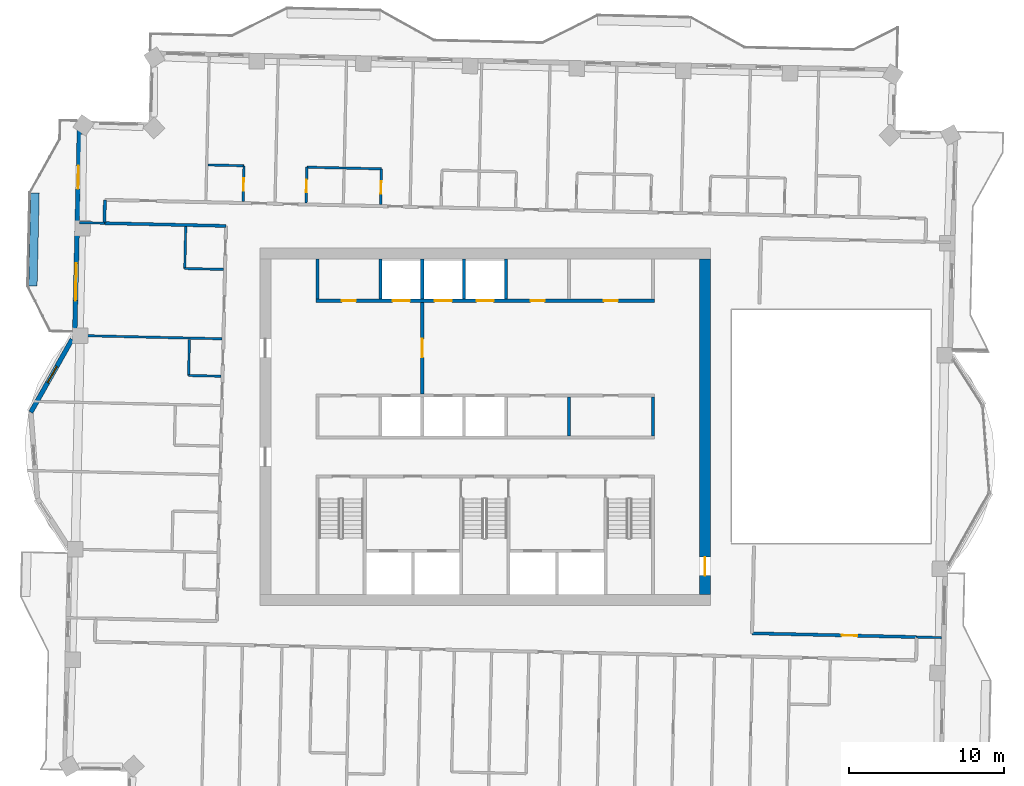
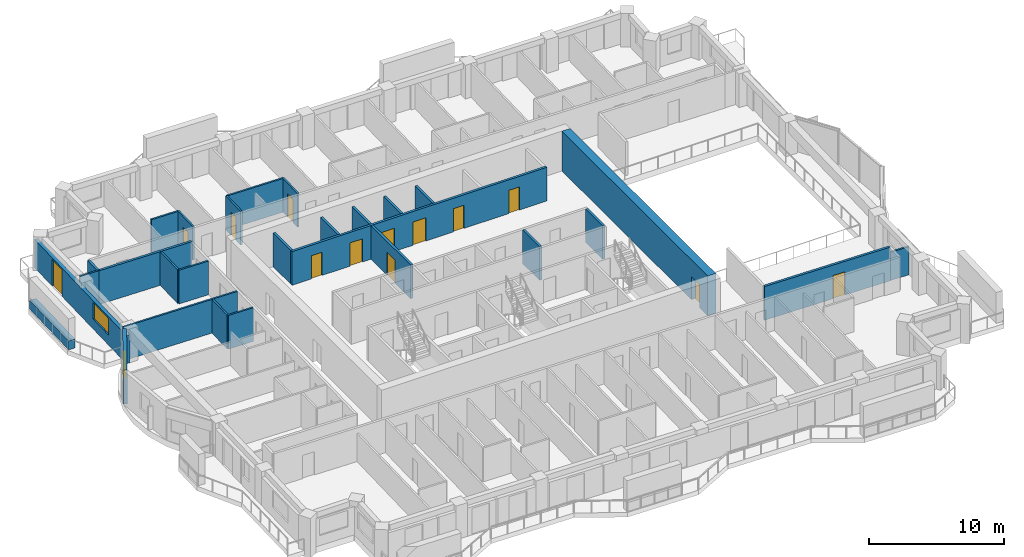
# One storey, part 10 of 17: 28 walls, 13 doors, 2 windows, 15 openings.
"""IFC4 building model written with IfcOpenShell, lengths in metres."""

import ifcopenshell
import ifcopenshell.guid

model = None  # the IFC model being written
_history = None  # IfcOwnerHistory: only IFC2X3 demands one
_inside = {}  # id of a spatial element -> (the spatial element, [elements in it])
_under = {}  # id of a project, library or spatial element -> (it, [spatial elements below it])
_declared = {}  # id of a project -> (the project, [libraries it declares])
_typed = {}  # id of a type object -> (the type object, [elements of that type])
_made_of = {}  # id of a material, layer set ... -> (it, [elements and type objects made of it])


def new_model(schema):
    """Start an empty IFC model of exactly this schema.

    Asked for "IFC4X3", IfcOpenShell would pick the latest addendum, in which some entities
    have other attributes; the version numbers below select the first issue.
    IFC2X3 requires an IfcOwnerHistory on every rooted entity: one is made here for all.
    """
    global model, _history
    if schema == "IFC4X3":
        model = ifcopenshell.file(schema_version=(4, 3, 0, 0))
    else:
        model = ifcopenshell.file(schema=schema)
    _inside.clear()
    _under.clear()
    _declared.clear()
    _typed.clear()
    _made_of.clear()
    _history = None
    if model.schema == "IFC2X3":
        org = make("IfcOrganization", Name="unknown")
        user = make(
            "IfcPersonAndOrganization",
            ThePerson=make("IfcPerson", FamilyName="unknown"),
            TheOrganization=org,
        )
        app = make(
            "IfcApplication",
            ApplicationDeveloper=org,
            Version="unknown",
            ApplicationFullName="unknown",
            ApplicationIdentifier="unknown",
        )
        _history = make(
            "IfcOwnerHistory",
            OwningUser=user,
            OwningApplication=app,
            ChangeAction="ADDED",
            CreationDate=0,
        )
    return model


def make(cls, **values):
    """One entity of the class cls with the attributes given. An attribute that is None is left unset."""
    return model.create_entity(
        cls, **{name: value for name, value in values.items() if value is not None}
    )


def rooted(cls, **values):
    """An entity with a GlobalId (a new one), such as an element, a storey or a relation."""
    return make(cls, GlobalId=ifcopenshell.guid.new(), OwnerHistory=_history, **values)


def si_unit(unit_type, name, prefix=None):
    """IfcSIUnit, for example si_unit("LENGTHUNIT", "METRE", prefix="MILLI")."""
    return make("IfcSIUnit", UnitType=unit_type, Prefix=prefix, Name=name)


def assignment(units):
    """IfcUnitAssignment: the units of a project."""
    return None if units is None else make("IfcUnitAssignment", Units=units)


def point(xyz):
    """IfcCartesianPoint."""
    return None if xyz is None else make("IfcCartesianPoint", Coordinates=xyz)


def direction(xyz):
    """IfcDirection."""
    return None if xyz is None else make("IfcDirection", DirectionRatios=xyz)


def frame(location, z_axis=None, x_axis=None):
    """IfcAxis2Placement3D, a coordinate frame: its origin and axes. An axis left out is left unset."""
    return make(
        "IfcAxis2Placement3D",
        Location=point(location),
        Axis=direction(z_axis),
        RefDirection=direction(x_axis),
    )


def frame_2d(location, x_axis=None):
    """IfcAxis2Placement2D, a coordinate frame in the plane: its origin and x axis."""
    return make(
        "IfcAxis2Placement2D", Location=point(location), RefDirection=direction(x_axis)
    )


def origin():
    """The frame at (0, 0, 0) with its axes left unset."""
    return frame((0.0, 0.0, 0.0))


def place(relative_to, where):
    """IfcLocalPlacement: puts the frame where relative to a parent placement (None: the world)."""
    return make(
        "IfcLocalPlacement", PlacementRelTo=relative_to, RelativePlacement=where
    )


def context(
    kind, dimensions, precision=None, world=None, true_north=None, identifier=None
):
    """IfcGeometricRepresentationContext, for example the 3D "Model" context."""
    return make(
        "IfcGeometricRepresentationContext",
        ContextIdentifier=identifier,
        ContextType=kind,
        CoordinateSpaceDimension=dimensions,
        Precision=precision,
        WorldCoordinateSystem=world,
        TrueNorth=true_north,
    )


def subcontext(parent, identifier, kind, view, scale=None):
    """IfcGeometricRepresentationSubContext, for example "Body" below "Model"."""
    return make(
        "IfcGeometricRepresentationSubContext",
        ContextIdentifier=identifier,
        ContextType=kind,
        ParentContext=parent,
        TargetScale=scale,
        TargetView=view,
    )


def project(units=None, contexts=None):
    """IfcProject with its units and contexts."""
    return rooted(
        "IfcProject",
        Name="project",
        RepresentationContexts=contexts,
        UnitsInContext=assignment(units),
    )


def spatial(cls, under=None, at=None, **own):
    """A site, building, storey or space (cls), placed at a placement, below another one or the project."""
    s = rooted(cls, ObjectPlacement=at, **own)
    if under is not None:
        _under.setdefault(under.id(), (under, []))[1].append(s)
    return s


def profile(cls, at=None, kind="AREA", **sizes):
    """A parametric profile (cls). Its sizes go by their IFC names, for example OverallWidth=200.0."""
    return make(cls, ProfileType=kind, Position=at, **sizes)


def rectangle(**sizes):
    """IfcRectangleProfileDef."""
    return profile("IfcRectangleProfileDef", **sizes)


def extrude(swept, where, along, depth):
    """IfcExtrudedAreaSolid: the profile swept, set in the frame where, extruded along a direction by depth."""
    return make(
        "IfcExtrudedAreaSolid",
        SweptArea=swept,
        Position=where,
        ExtrudedDirection=direction(along),
        Depth=depth,
    )


def shape(context_of_items, identifier, shape_type, items):
    """IfcShapeRepresentation: the items that make up one representation, for example the "Body"."""
    return make(
        "IfcShapeRepresentation",
        ContextOfItems=context_of_items,
        RepresentationIdentifier=identifier,
        RepresentationType=shape_type,
        Items=items,
    )


def material(Name=None, Category=None):
    """IfcMaterial."""
    return make("IfcMaterial", Name=Name, Category=Category)


def layer(
    of_material, thickness, ventilated=None, Name=None, Category=None, Priority=None
):
    """IfcMaterialLayer: one layer of a wall or slab, of a material (None: an air gap)."""
    return make(
        "IfcMaterialLayer",
        Material=of_material,
        LayerThickness=thickness,
        IsVentilated=ventilated,
        Name=Name,
        Category=Category,
        Priority=Priority,
    )


def layer_set(layers, Name=None):
    """IfcMaterialLayerSet."""
    return make("IfcMaterialLayerSet", MaterialLayers=layers, LayerSetName=Name)


def made_of(thing, what):
    """Note that an element or type object is made of a material, layer set ...; save() writes the relation."""
    if what is not None:
        _made_of.setdefault(what.id(), (what, []))[1].append(thing)
    return thing


def type_object(cls, material=None, **own):
    """A type object (cls), such as IfcWallType, which elements share."""
    return made_of(rooted(cls, **own), material)


def element(
    cls,
    number,
    at=None,
    inside=None,
    cuts=None,
    type_object=None,
    material=None,
    context=None,
    identifier="Body",
    shape_type=None,
    held_by="IfcProductDefinitionShape",
    body=None,
    shapes=None,
    **own,
):
    """One element of the class cls, such as IfcWall. Its Tag is "e" and its number.

    at: its placement. inside: the storey or other place that contains it. cuts: it is an
    opening in that element (IfcRelVoidsElement). A single representation is given by context,
    identifier, shape_type and body (its items); several are given by shapes. held_by: the class
    of the entity that holds the representations. save() writes the other relations.
    """
    e = rooted(cls, Tag="e%d" % number, ObjectPlacement=at, **own)
    if body is not None:
        shapes = [shape(context, identifier, shape_type, body)]
    if shapes is not None:
        e.Representation = make(held_by, Representations=shapes)
    if inside is not None:
        _inside.setdefault(inside.id(), (inside, []))[1].append(e)
    if cuts is not None:
        rooted(
            "IfcRelVoidsElement", RelatingBuildingElement=cuts, RelatedOpeningElement=e
        )
    if type_object is not None:
        _typed.setdefault(type_object.id(), (type_object, []))[1].append(e)
    return made_of(e, material)


def fill(opening, filler):
    """IfcRelFillsElement: the door or window that sits in an opening."""
    return rooted(
        "IfcRelFillsElement",
        RelatingOpeningElement=opening,
        RelatedBuildingElement=filler,
    )


def aggregate(whole, parts):
    """IfcRelAggregates: a whole, such as a stair, and the parts it consists of."""
    return rooted("IfcRelAggregates", RelatingObject=whole, RelatedObjects=parts)


def save(model, path):
    """Write the relations noted so far, then the file.

    IfcRelAggregates (storeys below a building ...), IfcRelContainedInSpatialStructure (elements
    in a storey), IfcRelDefinesByType, IfcRelAssociatesMaterial and IfcRelDeclares: one each for
    every whole, place, type object, material and project.
    """
    for whole, parts in _under.values():
        aggregate(whole, parts)
    for where, things in _inside.values():
        rooted(
            "IfcRelContainedInSpatialStructure",
            RelatedElements=things,
            RelatingStructure=where,
        )
    for kind, things in _typed.values():
        rooted("IfcRelDefinesByType", RelatedObjects=things, RelatingType=kind)
    for what, things in _made_of.values():
        rooted("IfcRelAssociatesMaterial", RelatedObjects=things, RelatingMaterial=what)
    for by, libraries in _declared.values():
        rooted("IfcRelDeclares", RelatingContext=by, RelatedDefinitions=libraries)
    model.write(path)


model = new_model("IFC4")

# Units and contexts
model_context = context("Model", 3, precision=1e-05, world=origin(), true_north=direction((0.0, 1.0)))
body_context = subcontext(model_context, "Body", "Model", "MODEL_VIEW")
ifc_project = project(units=[si_unit("LENGTHUNIT", "METRE"), si_unit("AREAUNIT", "SQUARE_METRE"), si_unit("VOLUMEUNIT", "CUBIC_METRE"), si_unit("PLANEANGLEUNIT", "RADIAN"), si_unit("MASSUNIT", "GRAM", prefix="KILO")], contexts=[model_context])

# Site, building, storey
site_placement = place(None, origin())
site = spatial("IfcSite", under=ifc_project, at=site_placement, CompositionType="ELEMENT")
building_placement = place(site_placement, origin())
building = spatial("IfcBuilding", under=site, at=building_placement, Name="Mangrove Gate Tower", CompositionType="ELEMENT")
storey_placement = place(building_placement, frame((0.0, 0.0, 268.10009765625)))
storey = spatial("IfcBuildingStorey", under=building, at=storey_placement, Name="L68", CompositionType="ELEMENT", Elevation=268.10009765625)

# Wall, opening, door
ifc_material_1 = material(Name="Concrete C32/40", Category="concrete")
ifc_layer_1 = layer(ifc_material_1, 0.199951171875)
ifc_layer_set_1 = layer_set([ifc_layer_1], Name="Core lobby wall 200 C32/40")
wall_type_1 = type_object("IfcWallType", Name="Core lobby wall 200 C32/40", PredefinedType="STANDARD", material=ifc_layer_set_1)
wall_1_placement = place(storey_placement, frame((-4.050048828125, 2.10009765625, 0.0), z_axis=(0.0, 0.0, 1.0), x_axis=(0.0, 1.0, 0.0)))
wall_1 = element("IfcWall", 1, at=wall_1_placement, inside=storey, type_object=wall_type_1, Name="WALL-L68-CORE-33", PredefinedType="STANDARD", context=body_context, shape_type="SweptSolid", body=[
    extrude(rectangle(XDim=5.89990234375, YDim=0.199951171875, at=frame_2d((2.949951171875, 0.0))), origin(), (0.0, 0.0, 1.0), 3.0498046875),
])
opening_1_placement = place(wall_1_placement, frame((2.35009765625, 0.0, 0.0)))
opening_1 = element("IfcOpeningElement", 2, at=opening_1_placement, cuts=wall_1, Name="Opening FL12", PredefinedType="OPENING", context=body_context, shape_type="SweptSolid", body=[
    extrude(rectangle(XDim=1.199951171875, YDim=2.10009765625, at=frame_2d((0.60009765625, 1.050048828125))), frame((0.0, 0.10986328125, 0.0), z_axis=(0.0, -1.0, 0.0), x_axis=(1.0, 0.0, 0.0)), (0.0, 0.0, 1.0), 0.219970703125),
])
ifc_material_2 = material(Name="Fire-rated steel door set", Category="steel")
door_type_1 = type_object("IfcDoorType", Name="Lobby door FD60 1200x2100", OperationType="SINGLE_SWING_LEFT", PredefinedType="DOOR", material=ifc_material_2)
door_1_placement = place(opening_1_placement, origin())
door_1 = element("IfcDoor", 3, at=door_1_placement, inside=storey, type_object=door_type_1, Name="Lobby door lift lobby partition", OperationType="SINGLE_SWING_LEFT", OverallHeight=2.10009765625, OverallWidth=1.199951171875, PredefinedType="DOOR", context=body_context, shape_type="SweptSolid", body=[
    extrude(rectangle(XDim=1.199951171875, YDim=2.10009765625, at=frame_2d((0.60009765625, 1.050048828125))), frame((0.0, 0.02490234375, 0.0), z_axis=(0.0, -1.0, 0.0), x_axis=(1.0, 0.0, 0.0)), (0.0, 0.0, 1.0), 0.050048828125),
])
fill(opening_1, door_1)

# Walls
ifc_material_3 = material(Name="Concrete C32/40", Category="concrete")
ifc_layer_2 = layer(ifc_material_3, 0.199951171875)
ifc_layer_set_2 = layer_set([ifc_layer_2], Name="Core room wall 200 C32/40")
wall_type_2 = type_object("IfcWallType", Name="Core room wall 200 C32/40", PredefinedType="STANDARD", material=ifc_layer_set_2)
for number, where, z_axis, x_axis, name in (
    (4, (5.39990234375, -0.60009765625, 0.0), (0.0, 0.0, 1.0), (0.0, 1.0, 0.0), "WALL-L68-CORE-24"),
    (5, (10.800048828125, -0.60009765625, 0.0), (0.0, 0.0, 1.0), (0.0, 1.0, 0.0), "WALL-L68-CORE-25"),
):
    element("IfcWall", number, at=place(storey_placement, frame(where, z_axis=z_axis, x_axis=x_axis)), inside=storey, type_object=wall_type_2, Name=name, PredefinedType="STANDARD", context=body_context, shape_type="SweptSolid", body=[
        extrude(rectangle(XDim=2.5, YDim=0.199951171875, at=frame_2d((1.25, 0.0))), origin(), (0.0, 0.0, 1.0), 3.0498046875),
    ])
wall_2_placement = place(storey_placement, frame((-10.800048828125, 8.199951171875, 0.0), z_axis=(0.0, 0.0, 1.0), x_axis=(0.0, 1.0, 0.0)))
element("IfcWall", 6, at=wall_2_placement, inside=storey, type_object=wall_type_2, Name="WALL-L68-CORE-26", PredefinedType="STANDARD", context=body_context, shape_type="SweptSolid", body=[
    extrude(rectangle(XDim=2.60009765625, YDim=0.199951171875, at=frame_2d((1.300048828125, 0.0))), origin(), (0.0, 0.0, 1.0), 3.0498046875),
])

# Wall, openings, doors
ifc_material_4 = material(Name="Concrete C50/60", Category="concrete")
ifc_layer_3 = layer(ifc_material_4, 0.199951171875)
ifc_layer_set_3 = layer_set([ifc_layer_3], Name="Core shaft wall 200 C50/60")
wall_type_3 = type_object("IfcWallType", Name="Core shaft wall 200 C50/60", PredefinedType="SHEAR", material=ifc_layer_set_3)
wall_3_placement = place(storey_placement, frame((-10.89990234375, 8.10009765625, 0.0), z_axis=(0.0, 0.0, 1.0), x_axis=(1.0, 0.0, 0.0)))
wall_3 = element("IfcWall", 7, at=wall_3_placement, inside=storey, type_object=wall_type_3, Name="WALL-L68-CORE-8", PredefinedType="SHEAR", context=body_context, shape_type="SweptSolid", body=[
    extrude(rectangle(XDim=21.7998046875, YDim=0.199951171875, at=frame_2d((10.89990234375, 0.0))), origin(), (0.0, 0.0, 1.0), 3.0498046875),
])
opening_2_placement = place(wall_3_placement, frame((4.949951171875, 0.0, 0.0)))
opening_2 = element("IfcOpeningElement", 8, at=opening_2_placement, cuts=wall_3, Name="Opening LD", PredefinedType="OPENING", context=body_context, shape_type="SweptSolid", body=[
    extrude(rectangle(XDim=1.10009765625, YDim=2.10009765625, at=frame_2d((0.550048828125, 1.050048828125))), frame((0.0, 0.10986328125, 0.0), z_axis=(0.0, -1.0, 0.0), x_axis=(1.0, 0.0, 0.0)), (0.0, 0.0, 1.0), 0.219970703125),
])
opening_3_placement = place(wall_3_placement, frame((7.64990234375, 0.0, 0.0)))
opening_3 = element("IfcOpeningElement", 9, at=opening_3_placement, cuts=wall_3, Name="Opening LD", PredefinedType="OPENING", context=body_context, shape_type="SweptSolid", body=[
    extrude(rectangle(XDim=1.10009765625, YDim=2.10009765625, at=frame_2d((0.550048828125, 1.050048828125))), frame((0.0, 0.10986328125, 0.0), z_axis=(0.0, -1.0, 0.0), x_axis=(1.0, 0.0, 0.0)), (0.0, 0.0, 1.0), 0.219970703125),
])
opening_4_placement = place(wall_3_placement, frame((10.35009765625, 0.0, 0.0)))
opening_4 = element("IfcOpeningElement", 10, at=opening_4_placement, cuts=wall_3, Name="Opening LD", PredefinedType="OPENING", context=body_context, shape_type="SweptSolid", body=[
    extrude(rectangle(XDim=1.10009765625, YDim=2.10009765625, at=frame_2d((0.550048828125, 1.050048828125))), frame((0.0, 0.10986328125, 0.0), z_axis=(0.0, -1.0, 0.0), x_axis=(1.0, 0.0, 0.0)), (0.0, 0.0, 1.0), 0.219970703125),
])
opening_5_placement = place(wall_3_placement, frame((1.675048828125, 0.0, 0.0)))
opening_5 = element("IfcOpeningElement", 11, at=opening_5_placement, cuts=wall_3, Name="Opening RD", PredefinedType="OPENING", context=body_context, shape_type="SweptSolid", body=[
    extrude(rectangle(XDim=0.89990234375, YDim=2.10009765625, at=frame_2d((0.449951171875, 1.050048828125))), frame((0.0, 0.10986328125, 0.0), z_axis=(0.0, -1.0, 0.0), x_axis=(1.0, 0.0, 0.0)), (0.0, 0.0, 1.0), 0.219970703125),
])
opening_6_placement = place(wall_3_placement, frame((13.824951171875, 0.0, 0.0)))
opening_6 = element("IfcOpeningElement", 12, at=opening_6_placement, cuts=wall_3, Name="Opening RD", PredefinedType="OPENING", context=body_context, shape_type="SweptSolid", body=[
    extrude(rectangle(XDim=0.89990234375, YDim=2.10009765625, at=frame_2d((0.449951171875, 1.050048828125))), frame((0.0, 0.10986328125, 0.0), z_axis=(0.0, -1.0, 0.0), x_axis=(1.0, 0.0, 0.0)), (0.0, 0.0, 1.0), 0.219970703125),
])
opening_7_placement = place(wall_3_placement, frame((18.550048828125, 0.0, 0.0)))
opening_7 = element("IfcOpeningElement", 13, at=opening_7_placement, cuts=wall_3, Name="Opening KD", PredefinedType="OPENING", context=body_context, shape_type="SweptSolid", body=[
    extrude(rectangle(XDim=0.89990234375, YDim=2.10009765625, at=frame_2d((0.449951171875, 1.050048828125))), frame((0.0, 0.10986328125, 0.0), z_axis=(0.0, -1.0, 0.0), x_axis=(1.0, 0.0, 0.0)), (0.0, 0.0, 1.0), 0.219970703125),
])
ifc_material_5 = material(Name="Fire-rated steel door set", Category="steel")
door_type_2 = type_object("IfcDoorType", Name="Core room door FD30S 900x2100", OperationType="SINGLE_SWING_RIGHT", PredefinedType="DOOR", material=ifc_material_5)
door_2_placement = place(opening_7_placement, origin())
door_2 = element("IfcDoor", 14, at=door_2_placement, inside=storey, type_object=door_type_2, Name="Core room door Core WC", OperationType="SINGLE_SWING_RIGHT", OverallHeight=2.10009765625, OverallWidth=0.89990234375, PredefinedType="DOOR", context=body_context, shape_type="SweptSolid", body=[
    extrude(rectangle(XDim=0.89990234375, YDim=2.10009765625, at=frame_2d((0.449951171875, 1.050048828125))), frame((0.0, 0.02490234375, 0.0), z_axis=(0.0, -1.0, 0.0), x_axis=(1.0, 0.0, 0.0)), (0.0, 0.0, 1.0), 0.050048828125),
])
fill(opening_7, door_2)
ifc_material_6 = material(Name="Stainless steel 316", Category="steel")
door_type_3 = type_object("IfcDoorType", Name="Lift landing door 1100x2100", OperationType="SLIDING_TO_LEFT", PredefinedType="DOOR", material=ifc_material_6)
door_3_placement = place(opening_2_placement, origin())
door_3 = element("IfcDoor", 15, at=door_3_placement, inside=storey, type_object=door_type_3, Name="Landing door LD H04", OperationType="SLIDING_TO_LEFT", OverallHeight=2.10009765625, OverallWidth=1.10009765625, PredefinedType="DOOR", context=body_context, shape_type="SweptSolid", body=[
    extrude(rectangle(XDim=1.10009765625, YDim=2.10009765625, at=frame_2d((0.550048828125, 1.050048828125))), frame((0.0, 0.02490234375, 0.0), z_axis=(0.0, -1.0, 0.0), x_axis=(1.0, 0.0, 0.0)), (0.0, 0.0, 1.0), 0.050048828125),
])
fill(opening_2, door_3)
door_4_placement = place(opening_3_placement, origin())
door_4 = element("IfcDoor", 16, at=door_4_placement, inside=storey, type_object=door_type_3, Name="Landing door LD H05", OperationType="SLIDING_TO_LEFT", OverallHeight=2.10009765625, OverallWidth=1.10009765625, PredefinedType="DOOR", context=body_context, shape_type="SweptSolid", body=[
    extrude(rectangle(XDim=1.10009765625, YDim=2.10009765625, at=frame_2d((0.550048828125, 1.050048828125))), frame((0.0, 0.02490234375, 0.0), z_axis=(0.0, -1.0, 0.0), x_axis=(1.0, 0.0, 0.0)), (0.0, 0.0, 1.0), 0.050048828125),
])
fill(opening_3, door_4)
door_5_placement = place(opening_4_placement, origin())
door_5 = element("IfcDoor", 17, at=door_5_placement, inside=storey, type_object=door_type_3, Name="Landing door LD H06", OperationType="SLIDING_TO_LEFT", OverallHeight=2.10009765625, OverallWidth=1.10009765625, PredefinedType="DOOR", context=body_context, shape_type="SweptSolid", body=[
    extrude(rectangle(XDim=1.10009765625, YDim=2.10009765625, at=frame_2d((0.550048828125, 1.050048828125))), frame((0.0, 0.02490234375, 0.0), z_axis=(0.0, -1.0, 0.0), x_axis=(1.0, 0.0, 0.0)), (0.0, 0.0, 1.0), 0.050048828125),
])
fill(opening_4, door_5)
ifc_material_7 = material(Name="Fire-rated steel door set", Category="steel")
door_type_4 = type_object("IfcDoorType", Name="Riser door FD30S 900x2100", OperationType="SINGLE_SWING_LEFT", PredefinedType="DOOR", material=ifc_material_7)
door_6_placement = place(opening_5_placement, origin())
door_6 = element("IfcDoor", 18, at=door_6_placement, inside=storey, type_object=door_type_4, Name="Riser door Switch room", OperationType="SINGLE_SWING_LEFT", OverallHeight=2.10009765625, OverallWidth=0.89990234375, PredefinedType="DOOR", context=body_context, shape_type="SweptSolid", body=[
    extrude(rectangle(XDim=0.89990234375, YDim=2.10009765625, at=frame_2d((0.449951171875, 1.050048828125))), frame((0.0, 0.02490234375, 0.0), z_axis=(0.0, -1.0, 0.0), x_axis=(1.0, 0.0, 0.0)), (0.0, 0.0, 1.0), 0.050048828125),
])
fill(opening_5, door_6)
door_7_placement = place(opening_6_placement, origin())
door_7 = element("IfcDoor", 19, at=door_7_placement, inside=storey, type_object=door_type_4, Name="Riser door Comms room", OperationType="SINGLE_SWING_LEFT", OverallHeight=2.10009765625, OverallWidth=0.89990234375, PredefinedType="DOOR", context=body_context, shape_type="SweptSolid", body=[
    extrude(rectangle(XDim=0.89990234375, YDim=2.10009765625, at=frame_2d((0.449951171875, 1.050048828125))), frame((0.0, 0.02490234375, 0.0), z_axis=(0.0, -1.0, 0.0), x_axis=(1.0, 0.0, 0.0)), (0.0, 0.0, 1.0), 0.050048828125),
])
fill(opening_6, door_7)

# Walls
for number, where, z_axis, x_axis, name in (
    (20, (-6.75, 8.199951171875, 0.0), (0.0, 0.0, 1.0), (0.0, 1.0, 0.0), "WALL-L68-CORE-27"),
    (21, (-4.050048828125, 8.199951171875, 0.0), (0.0, 0.0, 1.0), (0.0, 1.0, 0.0), "WALL-L68-CORE-28"),
    (22, (-1.35009765625, 8.199951171875, 0.0), (0.0, 0.0, 1.0), (0.0, 1.0, 0.0), "WALL-L68-CORE-29"),
    (23, (1.35009765625, 8.199951171875, 0.0), (0.0, 0.0, 1.0), (0.0, 1.0, 0.0), "WALL-L68-CORE-30"),
):
    element("IfcWall", number, at=place(storey_placement, frame(where, z_axis=z_axis, x_axis=x_axis)), inside=storey, type_object=wall_type_3, Name=name, PredefinedType="SHEAR", context=body_context, shape_type="SweptSolid", body=[
        extrude(rectangle(XDim=2.60009765625, YDim=0.199951171875, at=frame_2d((1.300048828125, 0.0))), origin(), (0.0, 0.0, 1.0), 3.0498046875),
    ])

# Wall, opening, door
ifc_material_8 = material(Name="Concrete C50/60", Category="concrete")
ifc_layer_4 = layer(ifc_material_8, 0.699951171875)
ifc_layer_set_4 = layer_set([ifc_layer_4], Name="Core wall 700 C50/60")
wall_type_4 = type_object("IfcWallType", Name="Core wall 700 C50/60", PredefinedType="SHEAR", material=ifc_layer_set_4)
wall_4_placement = place(storey_placement, frame((14.14990234375, -10.800048828125, 0.0), z_axis=(0.0, 0.0, 1.0), x_axis=(0.0, 1.0, 0.0)))
wall_4 = element("IfcWall", 24, at=wall_4_placement, inside=storey, type_object=wall_type_4, Name="WALL-L68-CORE-4", PredefinedType="SHEAR", context=body_context, shape_type="SweptSolid", body=[
    extrude(rectangle(XDim=21.60009765625, YDim=0.699951171875, at=frame_2d((10.800048828125, 0.0))), origin(), (0.0, 0.0, 1.0), 3.599853515625),
])
opening_8_placement = place(wall_4_placement, frame((1.199951171875, 0.0, 0.0)))
opening_8 = element("IfcOpeningElement", 25, at=opening_8_placement, cuts=wall_4, Name="Opening CD", PredefinedType="OPENING", context=body_context, shape_type="SweptSolid", body=[
    extrude(rectangle(XDim=1.199951171875, YDim=2.10009765625, at=frame_2d((0.60009765625, 1.050048828125))), frame((0.0, 0.35986328125, 0.0), z_axis=(0.0, -1.0, 0.0), x_axis=(1.0, 0.0, 0.0)), (0.0, 0.0, 1.0), 0.719970703125),
])
ifc_material_9 = material(Name="Fire-rated steel door set", Category="steel")
door_type_5 = type_object("IfcDoorType", Name="Core ring door FD60 1200x2100", OperationType="DOUBLE_DOOR_SINGLE_SWING", PredefinedType="DOOR", material=ifc_material_9)
door_8_placement = place(opening_8_placement, origin())
door_8 = element("IfcDoor", 26, at=door_8_placement, inside=storey, type_object=door_type_5, Name="Core ring door E1", OperationType="DOUBLE_DOOR_SINGLE_SWING", OverallHeight=2.10009765625, OverallWidth=1.199951171875, PredefinedType="DOOR", context=body_context, shape_type="SweptSolid", body=[
    extrude(rectangle(XDim=1.199951171875, YDim=2.10009765625, at=frame_2d((0.60009765625, 1.050048828125))), frame((0.0, 0.02490234375, 0.0), z_axis=(0.0, -1.0, 0.0), x_axis=(1.0, 0.0, 0.0)), (0.0, 0.0, 1.0), 0.050048828125),
])
fill(opening_8, door_8)

ifc_material_10 = material(Name="Gypsum board on steel stud, EI 60", Category="steel")
ifc_layer_5 = layer(ifc_material_10, 0.199951171875)
ifc_layer_set_5 = layer_set([ifc_layer_5], Name="Corridor wall EI 60")
wall_type_5 = type_object("IfcWallType", Name="Corridor wall EI 60", PredefinedType="PARTITIONING", material=ifc_layer_set_5)
wall_5_placement = place(storey_placement, frame((17.176025390625, -13.305908203125, 0.0), z_axis=(0.0, 0.0, 1.0), x_axis=(0.999741038234, -0.022756459988, 0.0)))
wall_5 = element("IfcWall", 27, at=wall_5_placement, inside=storey, type_object=wall_type_5, Name="WALL-L68-032", PredefinedType="PARTITIONING", context=body_context, shape_type="SweptSolid", body=[
    extrude(rectangle(XDim=10.599609375, YDim=0.199951171875, at=frame_2d((5.2998046875, 0.0))), origin(), (0.0, 0.0, 1.0), 3.0498046875),
])
opening_9_placement = place(wall_5_placement, frame((5.782958984375, 0.0, 0.0)))
opening_9 = element("IfcOpeningElement", 28, at=opening_9_placement, cuts=wall_5, Name="Opening AD", PredefinedType="OPENING", context=body_context, shape_type="SweptSolid", body=[
    extrude(rectangle(XDim=1.0, YDim=2.10009765625, at=frame_2d((0.5, 1.050048828125))), frame((0.0, 0.10986328125, 0.0), z_axis=(0.0, -1.0, 0.0), x_axis=(1.0, 0.0, 0.0)), (0.0, 0.0, 1.0), 0.219970703125),
])
ifc_material_11 = material(Name="Timber door leaf", Category="wood")
door_type_6 = type_object("IfcDoorType", Name="Amenity door 1000", OperationType="SINGLE_SWING_LEFT", PredefinedType="DOOR", material=ifc_material_11)
door_9_placement = place(opening_9_placement, origin())
door_9 = element("IfcDoor", 29, at=door_9_placement, inside=storey, type_object=door_type_6, Name="DOOR-L68-KIT-c3b", OperationType="SINGLE_SWING_LEFT", OverallHeight=2.10009765625, OverallWidth=1.0, PredefinedType="DOOR", context=body_context, shape_type="SweptSolid", body=[
    extrude(rectangle(XDim=1.0, YDim=2.10009765625, at=frame_2d((0.5, 1.050048828125))), frame((0.0, 0.02490234375, 0.0), z_axis=(0.0, -1.0, 0.0), x_axis=(1.0, 0.0, 0.0)), (0.0, 0.0, 1.0), 0.050048828125),
])
fill(opening_9, door_9)

# Walls
wall_6_placement = place(storey_placement, frame((-24.511962890625, 13.095947265625, 0.0), z_axis=(0.0, 0.0, 1.0), x_axis=(0.022617910375, 0.999744182344, 0.0)))
element("IfcWall", 30, at=wall_6_placement, inside=storey, type_object=wall_type_5, Name="WALL-L68-051", PredefinedType="PARTITIONING", context=body_context, shape_type="SweptSolid", body=[
    extrude(rectangle(XDim=1.50048828125, YDim=0.199951171875, at=frame_2d((0.750244140625, 0.0))), origin(), (0.0, 0.0, 1.0), 3.0498046875),
])
wall_7_placement = place(storey_placement, frame((-24.508056640625, 13.095947265625, 0.0), z_axis=(0.0, 0.0, 1.0), x_axis=(0.99974170677, -0.022727070732, 0.0)))
element("IfcWall", 31, at=wall_7_placement, inside=storey, type_object=wall_type_5, Name="WALL-L68-052", PredefinedType="PARTITIONING", context=body_context, shape_type="SweptSolid", body=[
    extrude(rectangle(XDim=7.8310546875, YDim=0.199951171875, at=frame_2d((3.91552734375, 0.0))), origin(), (0.0, 0.0, 1.0), 3.0498046875),
])

# Wall, openings, door, window
ifc_material_12 = material(Name="Limestone", Category="masonry")
ifc_layer_6 = layer(ifc_material_12, 0.0400390625, Name="Limestone cladding")
ifc_material_13 = material(Name="Ventilated air gap")
ifc_layer_7 = layer(ifc_material_13, 0.0400390625, Name="Ventilated cavity")
ifc_material_14 = material(Name="Mineral wool insulation")
ifc_layer_8 = layer(ifc_material_14, 0.06005859375, Name="Insulation")
ifc_material_15 = material(Name="Breather membrane")
ifc_layer_9 = layer(ifc_material_15, 0.001953125, Name="Breather membrane")
ifc_material_16 = material(Name="Concrete C20/25 blockwork", Category="masonry")
ifc_layer_10 = layer(ifc_material_16, 0.14990234375, Name="Blockwork backing wall")
ifc_material_17 = material(Name="Gypsum plaster")
ifc_layer_11 = layer(ifc_material_17, 0.008056640625, Name="Internal plaster")
ifc_layer_set_6 = layer_set([ifc_layer_6, ifc_layer_7, ifc_layer_8, ifc_layer_9, ifc_layer_10, ifc_layer_11], Name="External wall 300 limestone cladding")
wall_type_6 = type_object("IfcWallType", Name="External wall 300 limestone cladding", PredefinedType="SOLIDWALL", material=ifc_layer_set_6)
wall_8_placement = place(storey_placement, frame((-26.113037109375, 19.533935546875, 0.0), z_axis=(0.0, 0.0, 1.0), x_axis=(-0.022649415303, -0.999743469089, 0.0)))
wall_8 = element("IfcWall", 32, at=wall_8_placement, inside=storey, type_object=wall_type_6, Name="WALL-L68-W8s1", PredefinedType="SOLIDWALL", context=body_context, shape_type="SweptSolid", body=[
    extrude(rectangle(XDim=14.174560546875, YDim=0.300048828125, at=frame_2d((7.08740234375, 0.0))), origin(), (0.0, 0.0, 1.0), 2.5498046875),
])
opening_10_placement = place(wall_8_placement, frame((2.735107421875, 0.0, 0.0)))
opening_10 = element("IfcOpeningElement", 33, at=opening_10_placement, cuts=wall_8, Name="Opening BD1", PredefinedType="OPENING", context=body_context, shape_type="SweptSolid", body=[
    extrude(rectangle(XDim=1.5, YDim=2.39990234375, at=frame_2d((0.75, 1.199951171875))), frame((0.0, 0.159912109375, 0.0), z_axis=(0.0, -1.0, 0.0), x_axis=(1.0, 0.0, 0.0)), (0.0, 0.0, 1.0), 0.320068359375),
])
opening_11_placement = place(wall_8_placement, frame((9.01904296875, 0.0, 0.89990234375)))
opening_11 = element("IfcOpeningElement", 34, at=opening_11_placement, cuts=wall_8, Name="Opening W2", PredefinedType="OPENING", context=body_context, shape_type="SweptSolid", body=[
    extrude(rectangle(XDim=2.39990234375, YDim=1.5, at=frame_2d((1.199951171875, 0.75))), frame((0.0, 0.159912109375, 0.0), z_axis=(0.0, -1.0, 0.0), x_axis=(1.0, 0.0, 0.0)), (0.0, 0.0, 1.0), 0.320068359375),
])
ifc_material_18 = material(Name="Aluminium frame with laminated clear glass", Category="aluminium")
door_type_7 = type_object("IfcDoorType", Name="Balcony sliding door 1500x2400", OperationType="SLIDING_TO_LEFT", PredefinedType="DOOR", material=ifc_material_18)
door_10_placement = place(opening_10_placement, origin())
door_10 = element("IfcDoor", 35, at=door_10_placement, inside=storey, type_object=door_type_7, Name="DOOR-L68-W8-1", OperationType="SLIDING_TO_LEFT", OverallHeight=2.39990234375, OverallWidth=1.5, PredefinedType="DOOR", context=body_context, shape_type="SweptSolid", body=[
    extrude(rectangle(XDim=1.5, YDim=2.39990234375, at=frame_2d((0.75, 1.199951171875))), frame((0.0, 0.02490234375, 0.0), z_axis=(0.0, -1.0, 0.0), x_axis=(1.0, 0.0, 0.0)), (0.0, 0.0, 1.0), 0.050048828125),
])
fill(opening_10, door_10)
ifc_material_19 = material(Name="Aluminium frame with double-glazed low-e glass", Category="aluminium")
window_type_1 = type_object("IfcWindowType", Name="Corner room window 2400x1500", PartitioningType="DOUBLE_PANEL_VERTICAL", PredefinedType="WINDOW", material=ifc_material_19)
window_1_placement = place(opening_11_placement, origin())
window_1 = element("IfcWindow", 36, at=window_1_placement, inside=storey, type_object=window_type_1, Name="WIN-L68-W8-2", OverallHeight=1.5, OverallWidth=2.39990234375, PartitioningType="DOUBLE_PANEL_VERTICAL", PredefinedType="WINDOW", context=body_context, shape_type="SweptSolid", body=[
    extrude(rectangle(XDim=2.39990234375, YDim=1.5, at=frame_2d((1.199951171875, 0.75))), frame((0.0, 0.030029296875, 0.0), z_axis=(0.0, -1.0, 0.0), x_axis=(1.0, 0.0, 0.0)), (0.0, 0.0, 1.0), 0.06005859375),
])
fill(opening_11, window_1)

# Wall, opening, window
wall_9_placement = place(storey_placement, frame((-26.589111328125, 5.62109375, 0.0), z_axis=(0.0, 0.0, 1.0), x_axis=(-0.492495436053, -0.870315026566, 0.0)))
wall_9 = element("IfcWall", 37, at=wall_9_placement, inside=storey, type_object=wall_type_6, Name="WALL-L68-W9f1", PredefinedType="SOLIDWALL", context=body_context, shape_type="SweptSolid", body=[
    extrude(rectangle(XDim=5.39697265625, YDim=0.300048828125, at=frame_2d((2.698486328125, 0.0))), origin(), (0.0, 0.0, 1.0), 3.0498046875),
])
opening_12_placement = place(wall_9_placement, frame((2.007080078125, 0.0, 0.89990234375)))
opening_12 = element("IfcOpeningElement", 38, at=opening_12_placement, cuts=wall_9, Name="Opening W1", PredefinedType="OPENING", context=body_context, shape_type="SweptSolid", body=[
    extrude(rectangle(XDim=1.199951171875, YDim=1.5, at=frame_2d((0.60009765625, 0.75))), frame((0.0, 0.159912109375, 0.0), z_axis=(0.0, -1.0, 0.0), x_axis=(1.0, 0.0, 0.0)), (0.0, 0.0, 1.0), 0.320068359375),
])
ifc_material_20 = material(Name="Aluminium frame with double-glazed low-e glass", Category="aluminium")
window_type_2 = type_object("IfcWindowType", Name="Side lite 1200x1500", PartitioningType="SINGLE_PANEL", PredefinedType="WINDOW", material=ifc_material_20)
window_2_placement = place(opening_12_placement, origin())
window_2 = element("IfcWindow", 39, at=window_2_placement, inside=storey, type_object=window_type_2, Name="WIN-L68-W9f1", OverallHeight=1.5, OverallWidth=1.199951171875, PartitioningType="SINGLE_PANEL", PredefinedType="WINDOW", context=body_context, shape_type="SweptSolid", body=[
    extrude(rectangle(XDim=1.199951171875, YDim=1.5, at=frame_2d((0.60009765625, 0.75))), frame((0.0, 0.030029296875, 0.0), z_axis=(0.0, -1.0, 0.0), x_axis=(1.0, 0.0, 0.0)), (0.0, 0.0, 1.0), 0.06005859375),
])
fill(opening_12, window_2)

# Walls
ifc_material_21 = material(Name="Gypsum board on steel stud, EI 60", Category="steel")
ifc_layer_12 = layer(ifc_material_21, 0.14990234375)
ifc_layer_set_7 = layer_set([ifc_layer_12], Name="Party wall 150 EI 60")
wall_type_7 = type_object("IfcWallType", Name="Party wall 150 EI 60", PredefinedType="PARTITIONING", material=ifc_layer_set_7)
wall_10_placement = place(storey_placement, frame((27.77294921875, -13.547119140625, 0.0), z_axis=(0.0, 0.0, 1.0), x_axis=(0.999748563699, -0.022423411484, 0.0)))
element("IfcWall", 40, at=wall_10_placement, inside=storey, type_object=wall_type_7, Name="WALL-L68-034", PredefinedType="PARTITIONING", context=body_context, shape_type="SweptSolid", body=[
    extrude(rectangle(XDim=1.6005859375, YDim=0.14990234375, at=frame_2d((0.80029296875, 0.0))), origin(), (0.0, 0.0, 1.0), 2.5498046875),
])
wall_11_placement = place(storey_placement, frame((-19.097900390625, 3.291015625, 0.0), z_axis=(0.0, 0.0, 1.0), x_axis=(0.999737555419, -0.022908956429, 0.0)))
element("IfcWall", 41, at=wall_11_placement, inside=storey, type_object=wall_type_7, Name="WALL-L68-044", PredefinedType="PARTITIONING", context=body_context, shape_type="SweptSolid", body=[
    extrude(rectangle(XDim=2.099365234375, YDim=0.14990234375, at=frame_2d((1.0498046875, 0.0))), origin(), (0.0, 0.0, 1.0), 3.0498046875),
])
wall_12_placement = place(storey_placement, frame((-19.093017578125, 3.2958984375, 0.0), z_axis=(0.0, 0.0, 1.0), x_axis=(0.022788198363, 0.99974031529, 0.0)))
element("IfcWall", 42, at=wall_12_placement, inside=storey, type_object=wall_type_7, Name="WALL-L68-045", PredefinedType="PARTITIONING", context=body_context, shape_type="SweptSolid", body=[
    extrude(rectangle(XDim=2.32470703125, YDim=0.14990234375, at=frame_2d((1.162353515625, 0.0))), origin(), (0.0, 0.0, 1.0), 3.0498046875),
])
wall_13_placement = place(storey_placement, frame((-26.572998046875, 5.87109375, 0.0), z_axis=(0.0, 0.0, 1.0), x_axis=(0.999743768709, -0.022636186244, 0.0)))
element("IfcWall", 43, at=wall_13_placement, inside=storey, type_object=wall_type_7, Name="WALL-L68-046", PredefinedType="PARTITIONING", context=body_context, shape_type="SweptSolid", body=[
    extrude(rectangle(XDim=9.63134765625, YDim=0.14990234375, at=frame_2d((4.815673828125, 0.0))), origin(), (0.0, 0.0, 1.0), 3.0498046875),
])
wall_14_placement = place(storey_placement, frame((-19.342041015625, 10.177978515625, 0.0), z_axis=(0.0, 0.0, 1.0), x_axis=(0.999741028149, -0.022756903044, 0.0)))
element("IfcWall", 44, at=wall_14_placement, inside=storey, type_object=wall_type_7, Name="WALL-L68-048", PredefinedType="PARTITIONING", context=body_context, shape_type="SweptSolid", body=[
    extrude(rectangle(XDim=2.499755859375, YDim=0.14990234375, at=frame_2d((1.25, 0.0))), origin(), (0.0, 0.0, 1.0), 3.0498046875),
])
wall_15_placement = place(storey_placement, frame((-19.3369140625, 10.177978515625, 0.0), z_axis=(0.0, 0.0, 1.0), x_axis=(0.02260842146, 0.999744396973, 0.0)))
element("IfcWall", 45, at=wall_15_placement, inside=storey, type_object=wall_type_7, Name="WALL-L68-049", PredefinedType="PARTITIONING", context=body_context, shape_type="SweptSolid", body=[
    extrude(rectangle(XDim=2.69970703125, YDim=0.14990234375, at=frame_2d((1.349853515625, 0.0))), origin(), (0.0, 0.0, 1.0), 3.0498046875),
])
wall_16_placement = place(storey_placement, frame((-26.10791015625, 13.132080078125, 0.0), z_axis=(0.0, 0.0, 1.0), x_axis=(0.999746371854, -0.022520922836, 0.0)))
element("IfcWall", 46, at=wall_16_placement, inside=storey, type_object=wall_type_7, Name="WALL-L68-050", PredefinedType="PARTITIONING", context=body_context, shape_type="SweptSolid", body=[
    extrude(rectangle(XDim=1.6044921875, YDim=0.14990234375, at=frame_2d((0.80224609375, 0.0))), origin(), (0.0, 0.0, 1.0), 3.0498046875),
])

# Wall, opening, door
wall_17_placement = place(storey_placement, frame((-15.577880859375, 14.493896484375, 0.0), z_axis=(0.0, 0.0, 1.0), x_axis=(0.022612884682, 0.999744296031, 0.0)))
wall_17 = element("IfcWall", 47, at=wall_17_placement, inside=storey, type_object=wall_type_7, Name="WALL-L68-058", PredefinedType="PARTITIONING", context=body_context, shape_type="SweptSolid", body=[
    extrude(rectangle(XDim=2.299560546875, YDim=0.14990234375, at=frame_2d((1.14990234375, 0.0))), origin(), (0.0, 0.0, 1.0), 3.0498046875),
])
opening_13_placement = place(wall_17_placement, frame((0.699951171875, 0.0, 0.0)))
opening_13 = element("IfcOpeningElement", 48, at=opening_13_placement, cuts=wall_17, Name="Opening ED", PredefinedType="OPENING", context=body_context, shape_type="SweptSolid", body=[
    extrude(rectangle(XDim=0.800048828125, YDim=2.10009765625, at=frame_2d((0.39990234375, 1.050048828125))), frame((0.0, 0.0849609375, 0.0), z_axis=(0.0, -1.0, 0.0), x_axis=(1.0, 0.0, 0.0)), (0.0, 0.0, 1.0), 0.169921875),
])
ifc_material_22 = material(Name="Timber door leaf", Category="wood")
door_type_8 = type_object("IfcDoorType", Name="En-suite door 800", OperationType="SINGLE_SWING_LEFT", PredefinedType="DOOR", material=ifc_material_22)
door_11_placement = place(opening_13_placement, origin())
door_11 = element("IfcDoor", 49, at=door_11_placement, inside=storey, type_object=door_type_8, Name="DOOR-L68-ENS-c517", OperationType="SINGLE_SWING_LEFT", OverallHeight=2.10009765625, OverallWidth=0.800048828125, PredefinedType="DOOR", context=body_context, shape_type="SweptSolid", body=[
    extrude(rectangle(XDim=0.800048828125, YDim=2.10009765625, at=frame_2d((0.39990234375, 1.050048828125))), frame((0.0, 0.02490234375, 0.0), z_axis=(0.0, -1.0, 0.0), x_axis=(1.0, 0.0, 0.0)), (0.0, 0.0, 1.0), 0.050048828125),
])
fill(opening_13, door_11)

wall_18_placement = place(storey_placement, frame((-11.529052734375, 14.402099609375, 0.0), z_axis=(0.0, 0.0, 1.0), x_axis=(0.022615284993, 0.999744241736, 0.0)))
wall_18 = element("IfcWall", 50, at=wall_18_placement, inside=storey, type_object=wall_type_7, Name="WALL-L68-060", PredefinedType="PARTITIONING", context=body_context, shape_type="SweptSolid", body=[
    extrude(rectangle(XDim=2.29931640625, YDim=0.14990234375, at=frame_2d((1.149658203125, 0.0))), origin(), (0.0, 0.0, 1.0), 3.0498046875),
])
opening_14_placement = place(wall_18_placement, frame((0.699951171875, 0.0, 0.0)))
opening_14 = element("IfcOpeningElement", 51, at=opening_14_placement, cuts=wall_18, Name="Opening ED", PredefinedType="OPENING", context=body_context, shape_type="SweptSolid", body=[
    extrude(rectangle(XDim=0.800048828125, YDim=2.10009765625, at=frame_2d((0.39990234375, 1.050048828125))), frame((0.0, 0.0849609375, 0.0), z_axis=(0.0, -1.0, 0.0), x_axis=(1.0, 0.0, 0.0)), (0.0, 0.0, 1.0), 0.169921875),
])
door_12_placement = place(opening_14_placement, origin())
door_12 = element("IfcDoor", 52, at=door_12_placement, inside=storey, type_object=door_type_8, Name="DOOR-L68-ENS-c516", OperationType="SINGLE_SWING_RIGHT", OverallHeight=2.10009765625, OverallWidth=0.800048828125, PredefinedType="DOOR", context=body_context, shape_type="SweptSolid", body=[
    extrude(rectangle(XDim=0.800048828125, YDim=2.10009765625, at=frame_2d((0.39990234375, 1.050048828125))), frame((0.0, 0.02490234375, 0.0), z_axis=(0.0, -1.0, 0.0), x_axis=(1.0, 0.0, 0.0)), (0.0, 0.0, 1.0), 0.050048828125),
])
fill(opening_14, door_12)

wall_19_placement = place(storey_placement, frame((-6.72998046875, 14.29296875, 0.0), z_axis=(0.0, 0.0, 1.0), x_axis=(0.022603288534, 0.999744513037, 0.0)))
wall_19 = element("IfcWall", 53, at=wall_19_placement, inside=storey, type_object=wall_type_7, Name="WALL-L68-062", PredefinedType="PARTITIONING", context=body_context, shape_type="SweptSolid", body=[
    extrude(rectangle(XDim=2.300537109375, YDim=0.14990234375, at=frame_2d((1.150390625, 0.0))), origin(), (0.0, 0.0, 1.0), 3.0498046875),
])
opening_15_placement = place(wall_19_placement, frame((0.699951171875, 0.0, 0.0)))
opening_15 = element("IfcOpeningElement", 54, at=opening_15_placement, cuts=wall_19, Name="Opening ED", PredefinedType="OPENING", context=body_context, shape_type="SweptSolid", body=[
    extrude(rectangle(XDim=0.800048828125, YDim=2.10009765625, at=frame_2d((0.39990234375, 1.050048828125))), frame((0.0, 0.0849609375, 0.0), z_axis=(0.0, -1.0, 0.0), x_axis=(1.0, 0.0, 0.0)), (0.0, 0.0, 1.0), 0.169921875),
])
door_13_placement = place(opening_15_placement, origin())
door_13 = element("IfcDoor", 55, at=door_13_placement, inside=storey, type_object=door_type_8, Name="DOOR-L68-ENS-c515", OperationType="SINGLE_SWING_LEFT", OverallHeight=2.10009765625, OverallWidth=0.800048828125, PredefinedType="DOOR", context=body_context, shape_type="SweptSolid", body=[
    extrude(rectangle(XDim=0.800048828125, YDim=2.10009765625, at=frame_2d((0.39990234375, 1.050048828125))), frame((0.0, 0.02490234375, 0.0), z_axis=(0.0, -1.0, 0.0), x_axis=(1.0, 0.0, 0.0)), (0.0, 0.0, 1.0), 0.050048828125),
])
fill(opening_15, door_13)

# Walls
wall_20_placement = place(storey_placement, frame((-17.845947265625, 16.845947265625, 0.0), z_axis=(0.0, 0.0, 1.0), x_axis=(0.999740260747, -0.02279059109, 0.0)))
element("IfcWall", 56, at=wall_20_placement, inside=storey, type_object=wall_type_7, Name="WALL-L68-077", PredefinedType="PARTITIONING", context=body_context, shape_type="SweptSolid", body=[
    extrude(rectangle(XDim=2.324462890625, YDim=0.14990234375, at=frame_2d((1.162109375, 0.0))), origin(), (0.0, 0.0, 1.0), 3.0498046875),
])
wall_21_placement = place(storey_placement, frame((-11.472900390625, 16.700927734375, 0.0), z_axis=(0.0, 0.0, 1.0), x_axis=(0.999742675121, -0.022684433919, 0.0)))
element("IfcWall", 57, at=wall_21_placement, inside=storey, type_object=wall_type_7, Name="WALL-L68-078", PredefinedType="PARTITIONING", context=body_context, shape_type="SweptSolid", body=[
    extrude(rectangle(XDim=4.800048828125, YDim=0.14990234375, at=frame_2d((2.39990234375, 0.0))), origin(), (0.0, 0.0, 1.0), 3.0498046875),
])
ifc_material_23 = material(Name="Concrete C32/40", Category="concrete")
ifc_layer_13 = layer(ifc_material_23, 0.199951171875, Name="Planter trough wall")
ifc_material_24 = material(Name="Bituminous waterproofing membrane")
ifc_layer_14 = layer(ifc_material_24, 0.0048828125, Name="Waterproofing")
ifc_material_25 = material(Name="Drainage board and gravel")
ifc_layer_15 = layer(ifc_material_25, 0.044921875, Name="Drainage layer")
ifc_material_26 = material(Name="Planting soil")
ifc_layer_16 = layer(ifc_material_26, 0.300048828125, Name="Growing medium")
ifc_layer_set_8 = layer_set([ifc_layer_13, ifc_layer_14, ifc_layer_15, ifc_layer_16], Name="Planter wall 550 C32/40")
wall_type_8 = type_object("IfcWallType", Name="Planter wall 550 C32/40", PredefinedType="USERDEFINED", material=ifc_layer_set_8)
wall_22_placement = place(storey_placement, frame((-29.115966796875, 9.050048828125, 0.0), z_axis=(0.0, 0.0, 1.0), x_axis=(0.022665943652, 0.999743094499, 0.0)))
element("IfcWall", 58, at=wall_22_placement, inside=storey, type_object=wall_type_8, Name="PLANTER L68 W0.1", ObjectType="PLANTER", PredefinedType="USERDEFINED", context=body_context, shape_type="SweptSolid", body=[
    extrude(rectangle(XDim=5.99951171875, YDim=0.550048828125, at=frame_2d((2.999755859375, 0.0))), origin(), (0.0, 0.0, 1.0), 0.7998046875),
])

save(model, "model.ifc")
